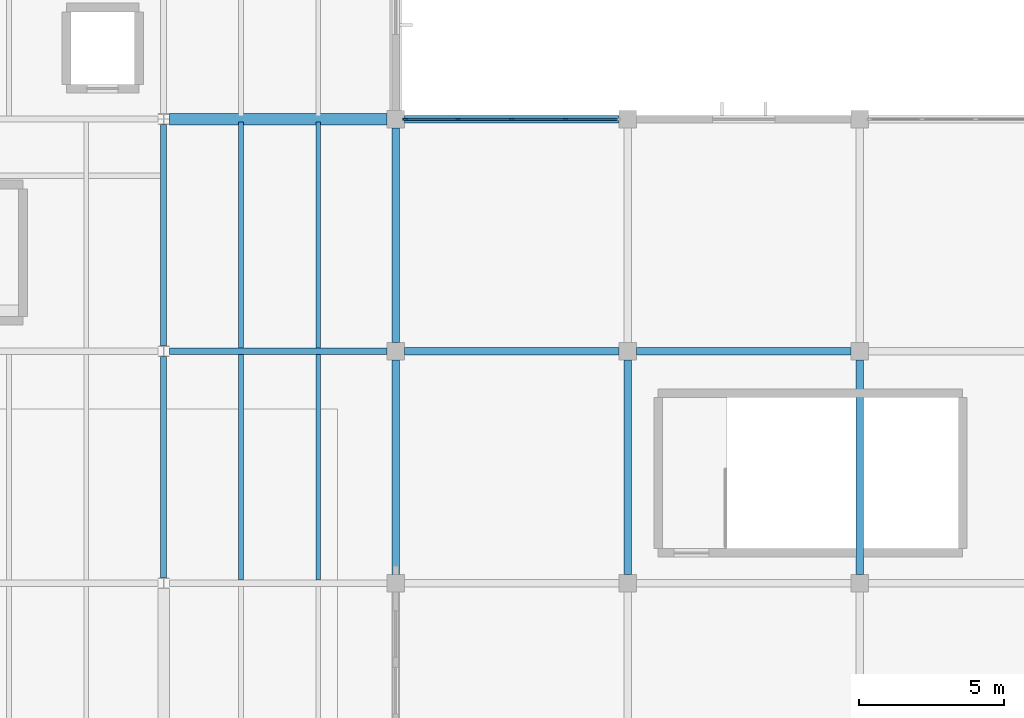
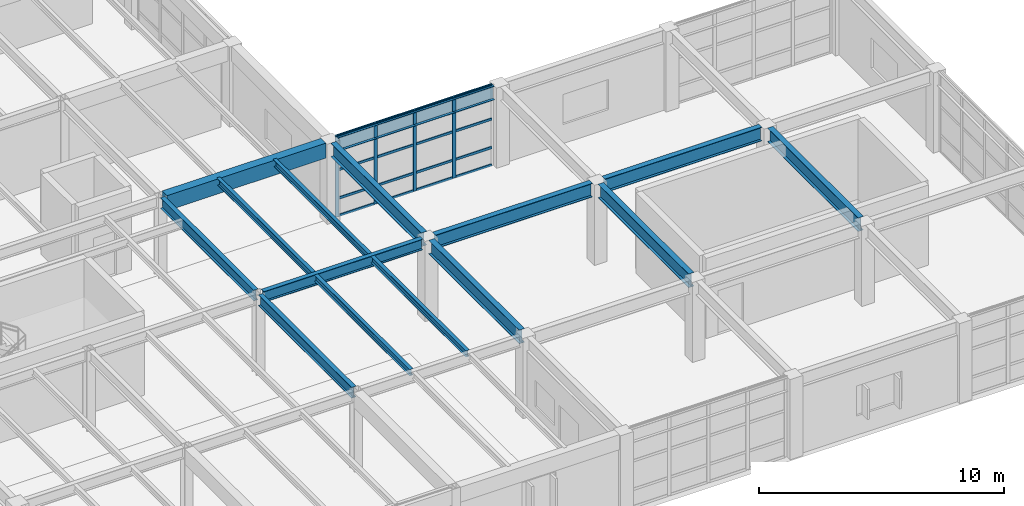
# One storey, part 26 of 48: 20 members, 15 beams, 1 element without a shape of its own.
"""IFC4 building model written with IfcOpenShell, lengths in metres."""

from ifc_helpers import new_model, si_unit, direction, frame, origin, origin_2d, place, context, subcontext, project, spatial, rectangle, i_section, extrude, material, layer, layer_set, material_profile, profile_set, type_object, element, aggregate, save


model = new_model("IFC4")

# Units and contexts
model_context = context("Model", 3, precision=1e-05, world=origin(), true_north=direction((0.0, 1.0)))
body_context = subcontext(model_context, "Body", "Model", "MODEL_VIEW")
ifc_project = project(units=[si_unit("LENGTHUNIT", "METRE"), si_unit("AREAUNIT", "SQUARE_METRE"), si_unit("VOLUMEUNIT", "CUBIC_METRE"), si_unit("PLANEANGLEUNIT", "RADIAN"), si_unit("MASSUNIT", "GRAM", prefix="KILO")], contexts=[model_context])

# Site, building, storey
site_placement = place(None, origin())
site = spatial("IfcSite", under=ifc_project, at=site_placement, CompositionType="ELEMENT")
building_placement = place(site_placement, origin())
building = spatial("IfcBuilding", under=site, at=building_placement, Name="Varnela Railside Interchange", CompositionType="ELEMENT")
storey_placement = place(building_placement, frame((0.0, 0.0, 11.199951171875)))
storey = spatial("IfcBuildingStorey", under=building, at=storey_placement, Name="L02", CompositionType="ELEMENT", Elevation=11.199951171875)

# Beams
ifc_material_1 = material(Name="Steel AR 350 (350 MPa)", Category="steel")
ifc_material_profile_1 = material_profile(ifc_material_1, i_section(OverallWidth=0.2109375, OverallDepth=0.5390625, WebThickness=0.01171875, FlangeThickness=0.018798828125, at=origin_2d()), Name="W530x109")
ifc_profile_set_1 = profile_set([ifc_material_profile_1], Name="Steel AR 350 (350 MPa)")
beam_type_1 = type_object("IfcBeamType", Name="Composite Girder B-17", PredefinedType="BEAM", material=ifc_profile_set_1)
for number, where, z_axis, x_axis, name in (
    (1, (132.0, 46.1875, 3.73046875), (0.0, 1.0, 0.0), (-1.0, 0.0, 0.0), "Composite Girder B-17 (L02) (BM-2035)"),
    (2, (132.0, 54.1875, 3.73046875), (0.0, 1.0, 0.0), (-1.0, 0.0, 0.0), "Composite Girder B-17 (L02) (BM-2036)"),
):
    element("IfcBeam", number, at=place(storey_placement, frame(where, z_axis=z_axis, x_axis=x_axis)), inside=storey, type_object=beam_type_1, Name=name, PredefinedType="BEAM", context=body_context, shape_type="SweptSolid", body=[
        extrude(i_section(OverallWidth=0.2109375, OverallDepth=0.5390625, WebThickness=0.01171875, FlangeThickness=0.018798828125, at=origin_2d()), origin(), (0.0, 0.0, 1.0), 7.625),
    ])
ifc_material_profile_2 = material_profile(ifc_material_1, i_section(OverallWidth=0.2119140625, OverallDepth=0.5439453125, WebThickness=0.01318359375, FlangeThickness=0.021240234375, at=origin_2d()), Name="W530x123")
ifc_profile_set_2 = profile_set([ifc_material_profile_2], Name="Steel AR 350 (350 MPa)")
beam_type_2 = type_object("IfcBeamType", Name="Composite Heavy Girder B-16", PredefinedType="BEAM", material=ifc_profile_set_2)
beam_1_placement = place(storey_placement, frame((132.197021484375, 54.0, 3.72802734375), z_axis=(1.0, 0.0, 0.0), x_axis=(0.0, 1.0, 0.0)))
element("IfcBeam", 3, at=beam_1_placement, inside=storey, type_object=beam_type_2, Name="Composite Heavy Girder B-16 (L02) (BM-1966)", PredefinedType="BEAM", context=body_context, shape_type="SweptSolid", body=[
    extrude(i_section(OverallWidth=0.2119140625, OverallDepth=0.5439453125, WebThickness=0.01318359375, FlangeThickness=0.021240234375, at=origin_2d()), origin(), (0.0, 0.0, 1.0), 7.5029296875),
])
ifc_material_profile_3 = material_profile(ifc_material_1, i_section(OverallWidth=0.1669921875, OverallDepth=0.31689453125, WebThickness=0.007568359375, FlangeThickness=0.01318359375, at=origin_2d()), Name="W310x52")
ifc_profile_set_3 = profile_set([ifc_material_profile_3], Name="Steel AR 350 (350 MPa)")
beam_type_3 = type_object("IfcBeamType", Name="Composite Long-Span Joist J-03", PredefinedType="JOIST", material=ifc_profile_set_3)
for number, where, z_axis, x_axis, name in (
    (4, (134.669921875, 46.10595703125, 3.841552734375), (0.0, 1.0, 0.0), (-1.0, 0.0, 0.0), "Composite Long-Span Joist J-03 (L02) (BM-1868)"),
    (5, (137.330078125, 46.10595703125, 3.841552734375), (0.0, 1.0, 0.0), (-1.0, 0.0, 0.0), "Composite Long-Span Joist J-03 (L02) (BM-1869)"),
    (6, (134.669921875, 54.10595703125, 3.841552734375), (0.0, 1.0, 0.0), (-1.0, 0.0, 0.0), "Composite Long-Span Joist J-03 (L02) (BM-1870)"),
    (7, (137.330078125, 54.10595703125, 3.841552734375), (0.0, 1.0, 0.0), (-1.0, 0.0, 0.0), "Composite Long-Span Joist J-03 (L02) (BM-1871)"),
):
    element("IfcBeam", number, at=place(storey_placement, frame(where, z_axis=z_axis, x_axis=x_axis)), inside=storey, type_object=beam_type_3, Name=name, PredefinedType="JOIST", context=body_context, shape_type="SweptSolid", body=[
        extrude(i_section(OverallWidth=0.1669921875, OverallDepth=0.31689453125, WebThickness=0.007568359375, FlangeThickness=0.01318359375, at=origin_2d()), origin(), (0.0, 0.0, 1.0), 7.7880859375),
    ])

# Curtain wall, members
ifc_material_2 = material(Name="Aluminium 6063-T6", Category="aluminium")
ifc_layer = layer(ifc_material_2, 0.035888671875)
ifc_layer_set = layer_set([ifc_layer], Name="Aluminium 6063-T6")
curtain_wall_type = type_object("IfcCurtainWallType", Name="Study Pavilion Gallery Curtain Wall CW-02", PredefinedType="USERDEFINED", material=ifc_layer_set)
curtain_wall_placement = place(storey_placement, origin())
curtain_wall = element("IfcCurtainWall", 8, at=curtain_wall_placement, inside=storey, type_object=curtain_wall_type, Name="Curtain Wall CW-02 (L02) (CW-060)", ObjectType="CURTAIN WALL", PredefinedType="USERDEFINED")
ifc_material_profile_4 = material_profile(ifc_material_2, rectangle(XDim=0.06005859375, YDim=0.159912109375, at=origin_2d()), Name="ALU 60x160")
ifc_profile_set_4 = profile_set([ifc_material_profile_4], Name="Aluminium 6063-T6")
member_type_1 = type_object("IfcMemberType", Name="Curtain Wall Mullion ML-02", PredefinedType="MULLION", material=ifc_profile_set_4)
member_1_placement = place(storey_placement, frame((140.330078125, 62.0, 0.0), z_axis=(0.0, 0.0, 1.0), x_axis=(0.0, 1.0, 0.0)))
member_1 = element("IfcMember", 9, at=member_1_placement, type_object=member_type_1, Name="CW-02 mullion 1", PredefinedType="MULLION", context=body_context, shape_type="SweptSolid", body=[
    extrude(rectangle(XDim=0.06005859375, YDim=0.159912109375, at=origin_2d()), origin(), (0.0, 0.0, 1.0), 4.0),
])
member_2_placement = place(storey_placement, frame((142.14990234375, 62.0, 0.0), z_axis=(0.0, 0.0, 1.0), x_axis=(0.0, 1.0, 0.0)))
member_2 = element("IfcMember", 10, at=member_2_placement, type_object=member_type_1, Name="CW-02 mullion 2", PredefinedType="MULLION", context=body_context, shape_type="SweptSolid", body=[
    extrude(rectangle(XDim=0.06005859375, YDim=0.159912109375, at=origin_2d()), origin(), (0.0, 0.0, 1.0), 4.0),
])
member_3_placement = place(storey_placement, frame((144.0, 62.0, 0.0), z_axis=(0.0, 0.0, 1.0), x_axis=(0.0, 1.0, 0.0)))
member_3 = element("IfcMember", 11, at=member_3_placement, type_object=member_type_1, Name="CW-02 mullion 3", PredefinedType="MULLION", context=body_context, shape_type="SweptSolid", body=[
    extrude(rectangle(XDim=0.06005859375, YDim=0.159912109375, at=origin_2d()), origin(), (0.0, 0.0, 1.0), 4.0),
])
member_4_placement = place(storey_placement, frame((145.85009765625, 62.0, 0.0), z_axis=(0.0, 0.0, 1.0), x_axis=(0.0, 1.0, 0.0)))
member_4 = element("IfcMember", 12, at=member_4_placement, type_object=member_type_1, Name="CW-02 mullion 4", PredefinedType="MULLION", context=body_context, shape_type="SweptSolid", body=[
    extrude(rectangle(XDim=0.06005859375, YDim=0.159912109375, at=origin_2d()), origin(), (0.0, 0.0, 1.0), 4.0),
])
ifc_material_profile_5 = material_profile(ifc_material_2, rectangle(XDim=0.06005859375, YDim=0.1201171875, at=origin_2d()), Name="ALU 60x120")
ifc_profile_set_5 = profile_set([ifc_material_profile_5], Name="Aluminium 6063-T6")
member_type_2 = type_object("IfcMemberType", Name="Curtain Wall Transom TR-02", PredefinedType="USERDEFINED", material=ifc_profile_set_5)
member_5_placement = place(storey_placement, frame((140.360107421875, 62.0, 0.030029296875), z_axis=(1.0, 0.0, 0.0), x_axis=(0.0, 1.0, 0.0)))
member_5 = element("IfcMember", 13, at=member_5_placement, type_object=member_type_2, Name="CW-02 transom 1.1", ObjectType="TRANSOM", PredefinedType="USERDEFINED", context=body_context, shape_type="SweptSolid", body=[
    extrude(rectangle(XDim=0.06005859375, YDim=0.1201171875, at=origin_2d()), origin(), (0.0, 0.0, 1.0), 1.760009765625),
])
member_6_placement = place(storey_placement, frame((140.360107421875, 62.0, 0.900146484375), z_axis=(1.0, 0.0, 0.0), x_axis=(0.0, 1.0, 0.0)))
member_6 = element("IfcMember", 14, at=member_6_placement, type_object=member_type_2, Name="CW-02 transom 1.2", ObjectType="TRANSOM", PredefinedType="USERDEFINED", context=body_context, shape_type="SweptSolid", body=[
    extrude(rectangle(XDim=0.06005859375, YDim=0.1201171875, at=origin_2d()), origin(), (0.0, 0.0, 1.0), 1.760009765625),
])
member_7_placement = place(storey_placement, frame((140.360107421875, 62.0, 2.320068359375), z_axis=(1.0, 0.0, 0.0), x_axis=(0.0, 1.0, 0.0)))
member_7 = element("IfcMember", 15, at=member_7_placement, type_object=member_type_2, Name="CW-02 transom 1.3", ObjectType="TRANSOM", PredefinedType="USERDEFINED", context=body_context, shape_type="SweptSolid", body=[
    extrude(rectangle(XDim=0.06005859375, YDim=0.1201171875, at=origin_2d()), origin(), (0.0, 0.0, 1.0), 1.760009765625),
])
member_8_placement = place(storey_placement, frame((140.360107421875, 62.0, 3.969970703125), z_axis=(1.0, 0.0, 0.0), x_axis=(0.0, 1.0, 0.0)))
member_8 = element("IfcMember", 16, at=member_8_placement, type_object=member_type_2, Name="CW-02 transom 1.4", ObjectType="TRANSOM", PredefinedType="USERDEFINED", context=body_context, shape_type="SweptSolid", body=[
    extrude(rectangle(XDim=0.06005859375, YDim=0.1201171875, at=origin_2d()), origin(), (0.0, 0.0, 1.0), 1.760009765625),
])
member_9_placement = place(storey_placement, frame((142.179931640625, 62.0, 0.030029296875), z_axis=(1.0, 0.0, 0.0), x_axis=(0.0, 1.0, 0.0)))
member_9 = element("IfcMember", 17, at=member_9_placement, type_object=member_type_2, Name="CW-02 transom 2.1", ObjectType="TRANSOM", PredefinedType="USERDEFINED", context=body_context, shape_type="SweptSolid", body=[
    extrude(rectangle(XDim=0.06005859375, YDim=0.1201171875, at=origin_2d()), origin(), (0.0, 0.0, 1.0), 1.7900390625),
])
member_10_placement = place(storey_placement, frame((142.179931640625, 62.0, 0.900146484375), z_axis=(1.0, 0.0, 0.0), x_axis=(0.0, 1.0, 0.0)))
member_10 = element("IfcMember", 18, at=member_10_placement, type_object=member_type_2, Name="CW-02 transom 2.2", ObjectType="TRANSOM", PredefinedType="USERDEFINED", context=body_context, shape_type="SweptSolid", body=[
    extrude(rectangle(XDim=0.06005859375, YDim=0.1201171875, at=origin_2d()), origin(), (0.0, 0.0, 1.0), 1.7900390625),
])
member_11_placement = place(storey_placement, frame((142.179931640625, 62.0, 2.320068359375), z_axis=(1.0, 0.0, 0.0), x_axis=(0.0, 1.0, 0.0)))
member_11 = element("IfcMember", 19, at=member_11_placement, type_object=member_type_2, Name="CW-02 transom 2.3", ObjectType="TRANSOM", PredefinedType="USERDEFINED", context=body_context, shape_type="SweptSolid", body=[
    extrude(rectangle(XDim=0.06005859375, YDim=0.1201171875, at=origin_2d()), origin(), (0.0, 0.0, 1.0), 1.7900390625),
])
member_12_placement = place(storey_placement, frame((142.179931640625, 62.0, 3.969970703125), z_axis=(1.0, 0.0, 0.0), x_axis=(0.0, 1.0, 0.0)))
member_12 = element("IfcMember", 20, at=member_12_placement, type_object=member_type_2, Name="CW-02 transom 2.4", ObjectType="TRANSOM", PredefinedType="USERDEFINED", context=body_context, shape_type="SweptSolid", body=[
    extrude(rectangle(XDim=0.06005859375, YDim=0.1201171875, at=origin_2d()), origin(), (0.0, 0.0, 1.0), 1.7900390625),
])
member_13_placement = place(storey_placement, frame((144.030029296875, 62.0, 0.030029296875), z_axis=(1.0, 0.0, 0.0), x_axis=(0.0, 1.0, 0.0)))
member_13 = element("IfcMember", 21, at=member_13_placement, type_object=member_type_2, Name="CW-02 transom 3.1", ObjectType="TRANSOM", PredefinedType="USERDEFINED", context=body_context, shape_type="SweptSolid", body=[
    extrude(rectangle(XDim=0.06005859375, YDim=0.1201171875, at=origin_2d()), origin(), (0.0, 0.0, 1.0), 1.7900390625),
])
member_14_placement = place(storey_placement, frame((144.030029296875, 62.0, 0.900146484375), z_axis=(1.0, 0.0, 0.0), x_axis=(0.0, 1.0, 0.0)))
member_14 = element("IfcMember", 22, at=member_14_placement, type_object=member_type_2, Name="CW-02 transom 3.2", ObjectType="TRANSOM", PredefinedType="USERDEFINED", context=body_context, shape_type="SweptSolid", body=[
    extrude(rectangle(XDim=0.06005859375, YDim=0.1201171875, at=origin_2d()), origin(), (0.0, 0.0, 1.0), 1.7900390625),
])
member_15_placement = place(storey_placement, frame((144.030029296875, 62.0, 2.320068359375), z_axis=(1.0, 0.0, 0.0), x_axis=(0.0, 1.0, 0.0)))
member_15 = element("IfcMember", 23, at=member_15_placement, type_object=member_type_2, Name="CW-02 transom 3.3", ObjectType="TRANSOM", PredefinedType="USERDEFINED", context=body_context, shape_type="SweptSolid", body=[
    extrude(rectangle(XDim=0.06005859375, YDim=0.1201171875, at=origin_2d()), origin(), (0.0, 0.0, 1.0), 1.7900390625),
])
member_16_placement = place(storey_placement, frame((144.030029296875, 62.0, 3.969970703125), z_axis=(1.0, 0.0, 0.0), x_axis=(0.0, 1.0, 0.0)))
member_16 = element("IfcMember", 24, at=member_16_placement, type_object=member_type_2, Name="CW-02 transom 3.4", ObjectType="TRANSOM", PredefinedType="USERDEFINED", context=body_context, shape_type="SweptSolid", body=[
    extrude(rectangle(XDim=0.06005859375, YDim=0.1201171875, at=origin_2d()), origin(), (0.0, 0.0, 1.0), 1.7900390625),
])
member_17_placement = place(storey_placement, frame((145.8798828125, 62.0, 0.030029296875), z_axis=(1.0, 0.0, 0.0), x_axis=(0.0, 1.0, 0.0)))
member_17 = element("IfcMember", 25, at=member_17_placement, type_object=member_type_2, Name="CW-02 transom 4.1", ObjectType="TRANSOM", PredefinedType="USERDEFINED", context=body_context, shape_type="SweptSolid", body=[
    extrude(rectangle(XDim=0.06005859375, YDim=0.1201171875, at=origin_2d()), origin(), (0.0, 0.0, 1.0), 1.760009765625),
])
member_18_placement = place(storey_placement, frame((145.8798828125, 62.0, 0.900146484375), z_axis=(1.0, 0.0, 0.0), x_axis=(0.0, 1.0, 0.0)))
member_18 = element("IfcMember", 26, at=member_18_placement, type_object=member_type_2, Name="CW-02 transom 4.2", ObjectType="TRANSOM", PredefinedType="USERDEFINED", context=body_context, shape_type="SweptSolid", body=[
    extrude(rectangle(XDim=0.06005859375, YDim=0.1201171875, at=origin_2d()), origin(), (0.0, 0.0, 1.0), 1.760009765625),
])
member_19_placement = place(storey_placement, frame((145.8798828125, 62.0, 2.320068359375), z_axis=(1.0, 0.0, 0.0), x_axis=(0.0, 1.0, 0.0)))
member_19 = element("IfcMember", 27, at=member_19_placement, type_object=member_type_2, Name="CW-02 transom 4.3", ObjectType="TRANSOM", PredefinedType="USERDEFINED", context=body_context, shape_type="SweptSolid", body=[
    extrude(rectangle(XDim=0.06005859375, YDim=0.1201171875, at=origin_2d()), origin(), (0.0, 0.0, 1.0), 1.760009765625),
])
member_20_placement = place(storey_placement, frame((145.8798828125, 62.0, 3.969970703125), z_axis=(1.0, 0.0, 0.0), x_axis=(0.0, 1.0, 0.0)))
member_20 = element("IfcMember", 28, at=member_20_placement, type_object=member_type_2, Name="CW-02 transom 4.4", ObjectType="TRANSOM", PredefinedType="USERDEFINED", context=body_context, shape_type="SweptSolid", body=[
    extrude(rectangle(XDim=0.06005859375, YDim=0.1201171875, at=origin_2d()), origin(), (0.0, 0.0, 1.0), 1.760009765625),
])
aggregate(curtain_wall, [member_1, member_2, member_3, member_4, member_5, member_6, member_7, member_8, member_9, member_10, member_11, member_12, member_13, member_14, member_15, member_16, member_17, member_18, member_19, member_20])

# Beams
ifc_material_3 = material(Name="Concrete C40 precast", Category="concrete")
ifc_material_profile_6 = material_profile(ifc_material_3, rectangle(XDim=0.39990234375, YDim=0.75, at=origin_2d()), Name="PC 400x750")
ifc_profile_set_6 = profile_set([ifc_material_profile_6], Name="Concrete C40 precast")
beam_type_4 = type_object("IfcBeamType", Name="Precast Facade Spandrel SP-03", PredefinedType="SPANDREL", material=ifc_profile_set_6)
beam_2_placement = place(storey_placement, frame((132.197021484375, 62.0, 3.625), z_axis=(1.0, 0.0, 0.0), x_axis=(0.0, 1.0, 0.0)))
element("IfcBeam", 29, at=beam_2_placement, inside=storey, type_object=beam_type_4, Name="Precast Facade Spandrel SP-03 (L02) (BM-1977)", PredefinedType="SPANDREL", context=body_context, shape_type="SweptSolid", body=[
    extrude(rectangle(XDim=0.39990234375, YDim=0.75, at=origin_2d()), origin(), (0.0, 0.0, 1.0), 7.5029296875),
])
ifc_material_profile_7 = material_profile(ifc_material_1, i_section(OverallWidth=0.25390625, OverallDepth=0.68798828125, WebThickness=0.01318359375, FlangeThickness=0.02099609375, at=origin_2d()), Name="W690x152")
ifc_profile_set_7 = profile_set([ifc_material_profile_7], Name="Steel AR 350 (350 MPa)")
beam_type_5 = type_object("IfcBeamType", Name="Sawtooth Roof Truss Girder RT-01", PredefinedType="BEAM", material=ifc_profile_set_7)
for number, where, z_axis, x_axis, name in (
    (30, (140.300048828125, 54.0, 3.656005859375), (1.0, 0.0, 0.0), (0.0, 1.0, 0.0), "Sawtooth Roof Truss Girder RT-01 (L02) (BM-1967)"),
    (31, (148.300048828125, 54.0, 3.656005859375), (1.0, 0.0, 0.0), (0.0, 1.0, 0.0), "Sawtooth Roof Truss Girder RT-01 (L02) (BM-1968)"),
    (32, (140.300048828125, 62.0, 3.656005859375), (1.0, 0.0, 0.0), (0.0, 1.0, 0.0), "Sawtooth Roof Truss Girder RT-01 (L02) (BM-1978)"),
    (33, (140.0, 46.300048828125, 3.656005859375), (0.0, 1.0, 0.0), (-1.0, 0.0, 0.0), "Sawtooth Roof Truss Girder RT-01 (L02) (BM-2041)"),
    (34, (140.0, 54.300048828125, 3.656005859375), (0.0, 1.0, 0.0), (-1.0, 0.0, 0.0), "Sawtooth Roof Truss Girder RT-01 (L02) (BM-2042)"),
    (35, (148.0, 46.300048828125, 3.656005859375), (0.0, 1.0, 0.0), (-1.0, 0.0, 0.0), "Sawtooth Roof Truss Girder RT-01 (L02) (BM-2048)"),
    (36, (156.0, 46.300048828125, 3.656005859375), (0.0, 1.0, 0.0), (-1.0, 0.0, 0.0), "Sawtooth Roof Truss Girder RT-01 (L02) (BM-2058)"),
):
    element("IfcBeam", number, at=place(storey_placement, frame(where, z_axis=z_axis, x_axis=x_axis)), inside=storey, type_object=beam_type_5, Name=name, PredefinedType="BEAM", context=body_context, shape_type="SweptSolid", body=[
        extrude(i_section(OverallWidth=0.25390625, OverallDepth=0.68798828125, WebThickness=0.01318359375, FlangeThickness=0.02099609375, at=origin_2d()), origin(), (0.0, 0.0, 1.0), 7.39990234375),
    ])

save(model, "model.ifc")
